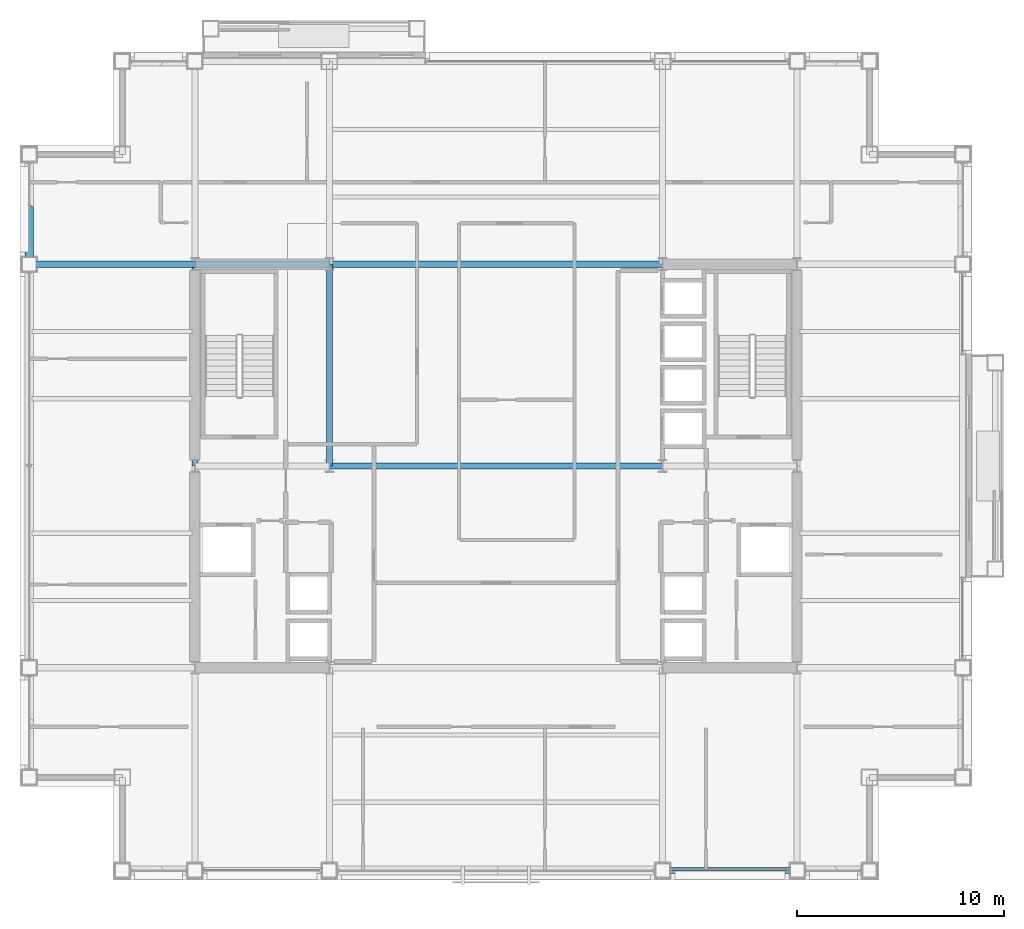
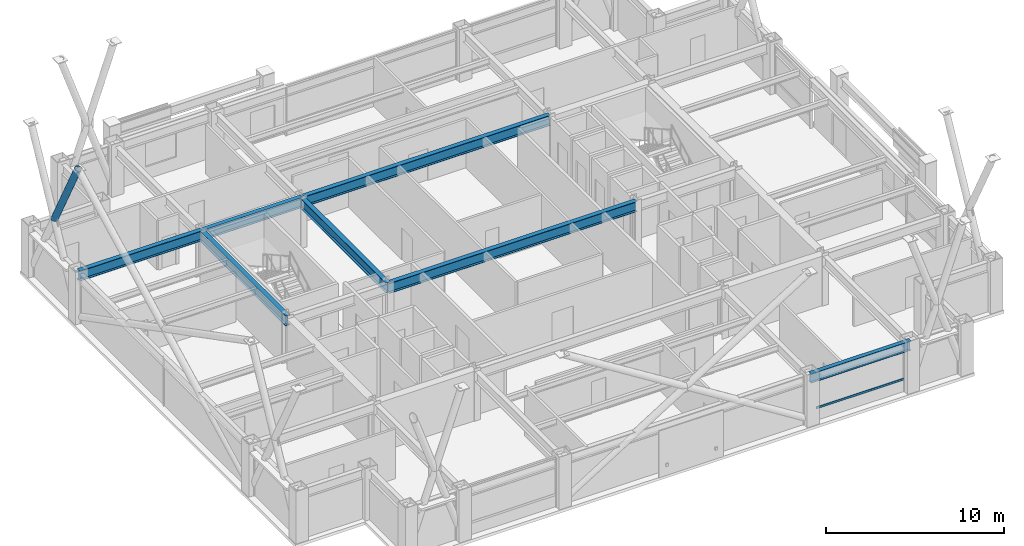
# One storey, part 11 of 33: 7 beams, 2 members, 1 element without a shape of its own.
"""IFC4 building model written with IfcOpenShell, lengths in metres."""

from ifc_helpers import new_model, si_unit, direction, frame, origin, origin_2d, place, context, subcontext, project, spatial, hollow_rectangle, hollow_circle, i_section, extrude, material, layer, layer_set, material_profile, profile_set, type_object, element, aggregate, save


model = new_model("IFC4")

# Units and contexts
model_context = context("Model", 3, precision=1e-05, world=origin(), true_north=direction((0.0, 1.0)))
body_context = subcontext(model_context, "Body", "Model", "MODEL_VIEW")
ifc_project = project(units=[si_unit("LENGTHUNIT", "METRE"), si_unit("AREAUNIT", "SQUARE_METRE"), si_unit("VOLUMEUNIT", "CUBIC_METRE"), si_unit("PLANEANGLEUNIT", "RADIAN"), si_unit("MASSUNIT", "GRAM", prefix="KILO")], contexts=[model_context])

# Site, building, storey
site_placement = place(None, origin())
site = spatial("IfcSite", under=ifc_project, at=site_placement, CompositionType="ELEMENT")
building_placement = place(site_placement, origin())
building = spatial("IfcBuilding", under=site, at=building_placement, Name="Brelmoor Portico Tower", CompositionType="ELEMENT")
storey_placement = place(building_placement, frame((0.0, 0.0, 120.60009765625)))
storey = spatial("IfcBuildingStorey", under=building, at=storey_placement, Name="L31", CompositionType="ELEMENT", Elevation=120.60009765625)

# Beams
ifc_material_1 = material(Name="Steel Q355B", Category="steel")
ifc_material_profile_1 = material_profile(ifc_material_1, i_section(OverallWidth=0.300048828125, OverallDepth=0.699951171875, WebThickness=0.012939453125, FlangeThickness=0.02392578125, at=origin_2d()), Name="HN 700x300x13x24")
ifc_profile_set_1 = profile_set([ifc_material_profile_1], Name="Steel Q355B")
beam_type_1 = type_object("IfcBeamType", Name="BM-PG-700", PredefinedType="BEAM", material=ifc_profile_set_1)
for number, where, z_axis, x_axis, name in (
    (1, (-14.550048828125, 0.0, 3.0498046875), (0.0, 1.0, 0.0), (-1.0, 0.0, 0.0), "L31 Primary Floor Girder PG-03"),
    (2, (-8.050048828125, 0.0, 3.0498046875), (0.0, 1.0, 0.0), (-1.0, 0.0, 0.0), "L31 Primary Floor Girder PG-06"),
):
    element("IfcBeam", number, at=place(storey_placement, frame(where, z_axis=z_axis, x_axis=x_axis)), inside=storey, type_object=beam_type_1, Name=name, PredefinedType="BEAM", context=body_context, shape_type="SweptSolid", body=[
        extrude(i_section(OverallWidth=0.300048828125, OverallDepth=0.699951171875, WebThickness=0.012939453125, FlangeThickness=0.02392578125, at=origin_2d()), origin(), (0.0, 0.0, 1.0), 9.75),
    ])
beam_1_placement = place(storey_placement, frame((-8.050048828125, 0.0, 3.0498046875), z_axis=(1.0, 0.0, 0.0), x_axis=(0.0, 1.0, 0.0)))
element("IfcBeam", 3, at=beam_1_placement, inside=storey, type_object=beam_type_1, Name="L31 Primary Floor Girder PG-20", PredefinedType="BEAM", context=body_context, shape_type="SweptSolid", body=[
    extrude(i_section(OverallWidth=0.300048828125, OverallDepth=0.699951171875, WebThickness=0.012939453125, FlangeThickness=0.02392578125, at=origin_2d()), origin(), (0.0, 0.0, 1.0), 16.10009765625),
])
beam_2_placement = place(storey_placement, frame((-22.550048828125, 9.75, 3.0498046875), z_axis=(1.0, 0.0, 0.0), x_axis=(0.0, 1.0, 0.0)))
element("IfcBeam", 4, at=beam_2_placement, inside=storey, type_object=beam_type_1, Name="L31 Primary Floor Girder PG-22", PredefinedType="BEAM", context=body_context, shape_type="SweptSolid", body=[
    extrude(i_section(OverallWidth=0.300048828125, OverallDepth=0.699951171875, WebThickness=0.012939453125, FlangeThickness=0.02392578125, at=origin_2d()), origin(), (0.0, 0.0, 1.0), 8.0),
])
beam_3_placement = place(storey_placement, frame((-14.550048828125, 9.75, 3.0498046875), z_axis=(1.0, 0.0, 0.0), x_axis=(0.0, 1.0, 0.0)))
element("IfcBeam", 5, at=beam_3_placement, inside=storey, type_object=beam_type_1, Name="L31 Primary Floor Girder PG-23", PredefinedType="BEAM", context=body_context, shape_type="SweptSolid", body=[
    extrude(i_section(OverallWidth=0.300048828125, OverallDepth=0.699951171875, WebThickness=0.012939453125, FlangeThickness=0.02392578125, at=origin_2d()), origin(), (0.0, 0.0, 1.0), 6.5),
])
beam_4_placement = place(storey_placement, frame((-8.050048828125, 9.75, 3.0498046875), z_axis=(1.0, 0.0, 0.0), x_axis=(0.0, 1.0, 0.0)))
element("IfcBeam", 6, at=beam_4_placement, inside=storey, type_object=beam_type_1, Name="L31 Primary Floor Girder PG-24", PredefinedType="BEAM", context=body_context, shape_type="SweptSolid", body=[
    extrude(i_section(OverallWidth=0.300048828125, OverallDepth=0.699951171875, WebThickness=0.012939453125, FlangeThickness=0.02392578125, at=origin_2d()), origin(), (0.0, 0.0, 1.0), 16.10009765625),
])
ifc_material_profile_2 = material_profile(ifc_material_1, i_section(OverallWidth=0.280029296875, OverallDepth=0.64990234375, WebThickness=0.012939453125, FlangeThickness=0.02197265625, at=origin_2d()), Name="HN 650x280x13x22")
ifc_profile_set_2 = profile_set([ifc_material_profile_2], Name="Steel Q355B")
beam_type_2 = type_object("IfcBeamType", Name="BM-SP-650", PredefinedType="SPANDREL", material=ifc_profile_set_2)
beam_5_placement = place(storey_placement, frame((8.050048828125, -19.550048828125, 3.074951171875), z_axis=(1.0, 0.0, 0.0), x_axis=(0.0, 1.0, 0.0)))
element("IfcBeam", 7, at=beam_5_placement, inside=storey, type_object=beam_type_2, Name="L31 Perimeter Spandrel Beam SP-04", PredefinedType="SPANDREL", context=body_context, shape_type="SweptSolid", body=[
    extrude(i_section(OverallWidth=0.280029296875, OverallDepth=0.64990234375, WebThickness=0.012939453125, FlangeThickness=0.02197265625, at=origin_2d()), origin(), (0.0, 0.0, 1.0), 6.5),
])

# Member
ifc_material_profile_3 = material_profile(ifc_material_1, hollow_circle(Radius=0.212890625, WallThickness=0.02001953125, at=origin_2d()), Name="CHS 426x20")
ifc_profile_set_3 = profile_set([ifc_material_profile_3], Name="Steel Q355B")
member_type_1 = type_object("IfcMemberType", Name="MB-BELT-DIAG1", PredefinedType="BRACE", material=ifc_profile_set_3)
member_1_placement = place(storey_placement, frame((-22.550048828125, 12.39990234375, 5.2998046875), z_axis=(0.0, -0.464645119255, 0.885496986529), x_axis=(1.0, 0.0, 0.0)))
element("IfcMember", 8, at=member_1_placement, inside=storey, type_object=member_type_1, Name="L31 Split Mega-X Brace 071B2", PredefinedType="BRACE", context=body_context, shape_type="SweptSolid", body=[
    extrude(hollow_circle(Radius=0.212890625, WallThickness=0.02001953125, at=origin_2d()), origin(), (0.0, 0.0, 1.0), 5.703125),
])

# Curtain wall, member
ifc_material_2 = material(Name="Anodised Aluminium Alloy 6063-T6", Category="aluminium")
ifc_layer = layer(ifc_material_2, 0.179931640625)
ifc_layer_set = layer_set([ifc_layer], Name="Anodised Aluminium Alloy 6063-T6")
curtain_wall_type = type_object("IfcCurtainWallType", Name="CW-TOWER-Z2", PredefinedType="NOTDEFINED", material=ifc_layer_set)
curtain_wall_placement = place(storey_placement, origin())
curtain_wall = element("IfcCurtainWall", 9, at=curtain_wall_placement, inside=storey, type_object=curtain_wall_type, Name="L31 Curtain Wall CW-L31-01-4", PredefinedType="NOTDEFINED")
ifc_material_profile_4 = material_profile(ifc_material_2, hollow_rectangle(XDim=0.06494140625, YDim=0.139892578125, WallThickness=0.00390625, at=origin_2d()), Name="ALU TRANSOM 65x140")
ifc_profile_set_4 = profile_set([ifc_material_profile_4], Name="Anodised Aluminium Alloy 6063-T6")
member_type_2 = type_object("IfcMemberType", Name="MB-CW-TRAN-140", PredefinedType="USERDEFINED", material=ifc_profile_set_4)
member_2_placement = place(storey_placement, frame((8.4599609375, -19.550048828125, 0.849853515625), z_axis=(1.0, 0.0, 0.0), x_axis=(0.0, 1.0, 0.0)))
member_2 = element("IfcMember", 10, at=member_2_placement, type_object=member_type_2, Name="CW-L31-01-4 Transom 1-00", ObjectType="TRANSOM", PredefinedType="USERDEFINED", context=body_context, shape_type="SweptSolid", body=[
    extrude(hollow_rectangle(XDim=0.06494140625, YDim=0.139892578125, WallThickness=0.00390625, at=origin_2d()), origin(), (0.0, 0.0, 1.0), 5.679931640625),
])
aggregate(curtain_wall, [member_2])

save(model, "model.ifc")
